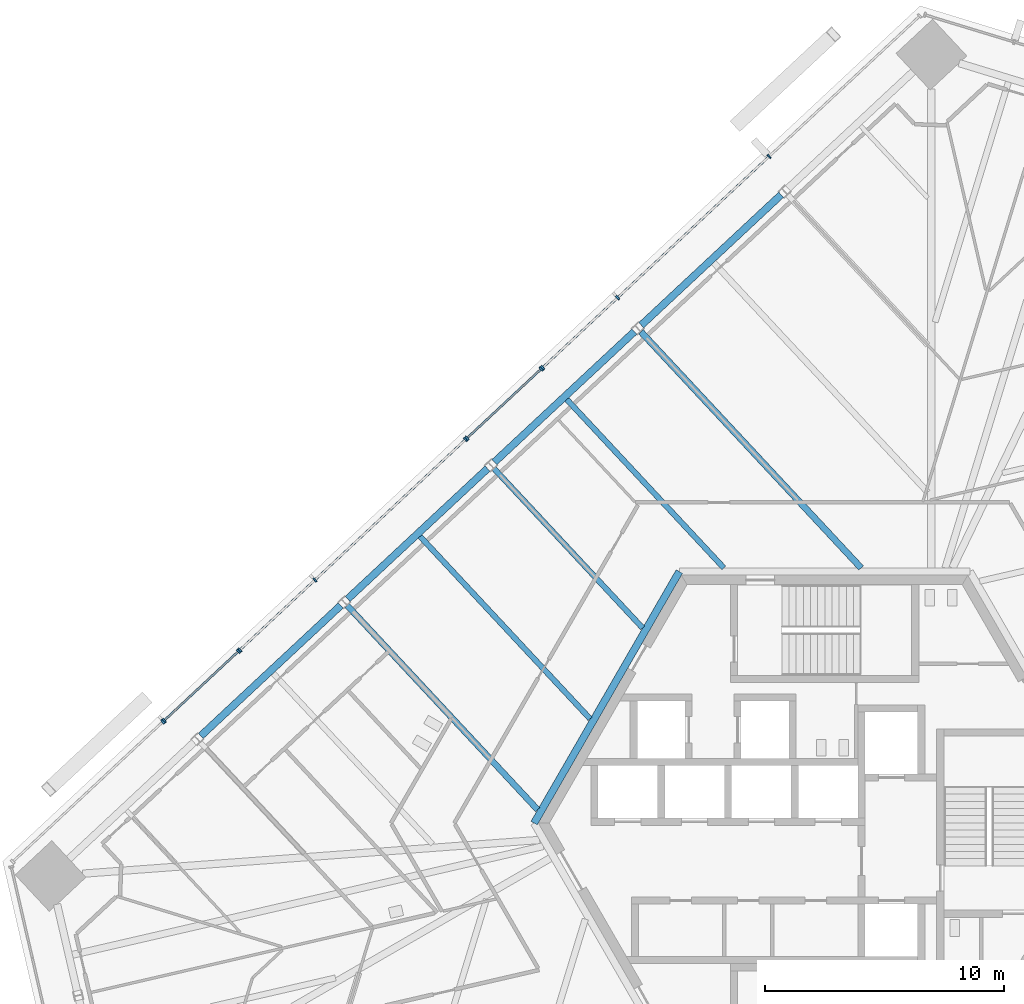
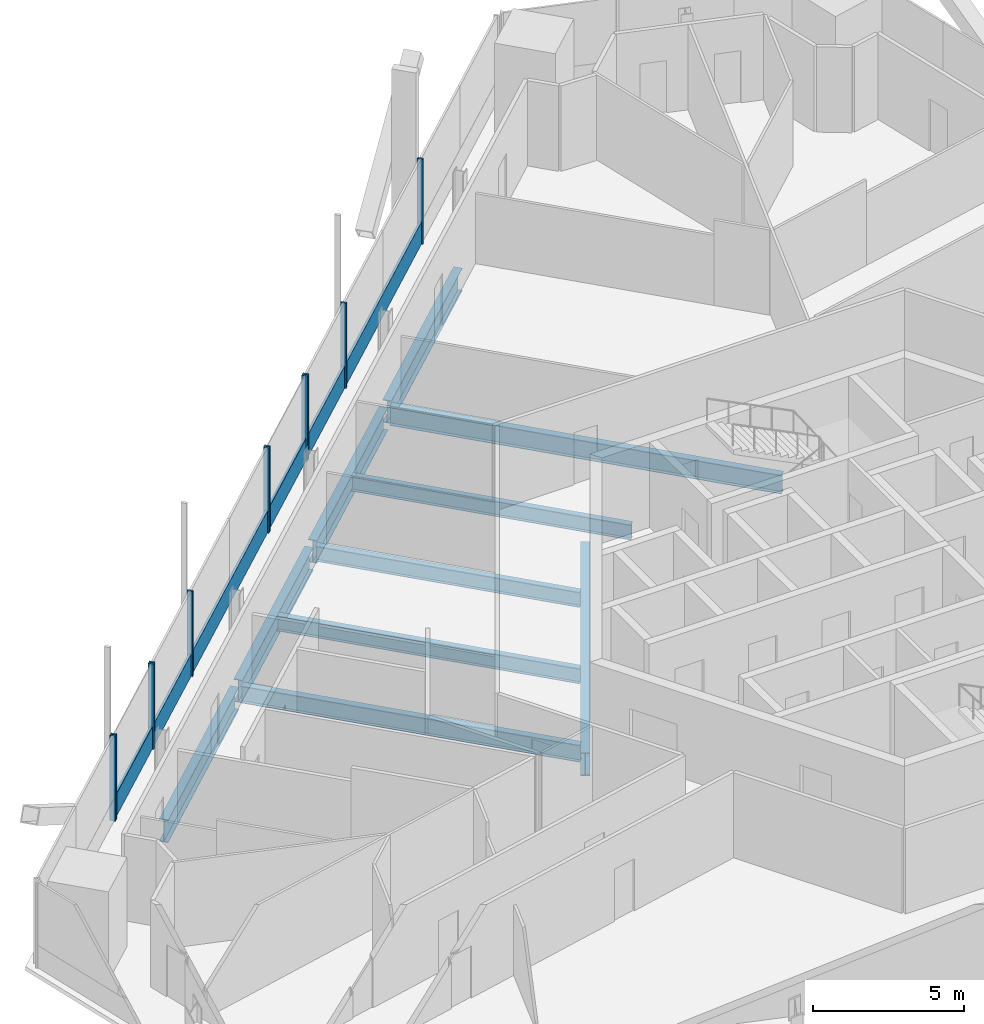
# One storey, part 8 of 24: 17 members, 10 beams, 5 elements without a shape of their own.
"""IFC4 building model written with IfcOpenShell, lengths in metres."""

from ifc_helpers import new_model, si_unit, direction, frame, origin, origin_2d, place, context, subcontext, project, spatial, rectangle, i_section, extrude, source, transform, mapped, material, material_profile, profile_set, type_object, element, aggregate, save


model = new_model("IFC4")

# Units and contexts
model_context = context("Model", 3, precision=1e-05, world=origin(), true_north=direction((0.0, 1.0)))
body_context = subcontext(model_context, "Body", "Model", "MODEL_VIEW")
ifc_project = project(units=[si_unit("LENGTHUNIT", "METRE"), si_unit("AREAUNIT", "SQUARE_METRE"), si_unit("VOLUMEUNIT", "CUBIC_METRE"), si_unit("PLANEANGLEUNIT", "RADIAN"), si_unit("MASSUNIT", "GRAM", prefix="KILO")], contexts=[model_context])

# Site, building, storey
site_placement = place(None, origin())
site = spatial("IfcSite", under=ifc_project, at=site_placement, CompositionType="ELEMENT")
building_placement = place(site_placement, origin())
building = spatial("IfcBuilding", under=site, at=building_placement, Name="Triune Harvest Tower", CompositionType="ELEMENT")
storey_placement = place(building_placement, frame((0.0, 0.0, 127.10009765625)))
storey = spatial("IfcBuildingStorey", under=building, at=storey_placement, Name="L32", CompositionType="ELEMENT", Elevation=127.10009765625)

# Curtain wall, member
ifc_material_1 = material(Name="Aluminium bronze anodised", Category="aluminium")
curtain_wall_type_1 = type_object("IfcCurtainWallType", Name="CW-1 Tower stick curtain wall", PredefinedType="NOTDEFINED", material=ifc_material_1)
curtain_wall_1_placement = place(storey_placement, origin())
curtain_wall_1 = element("IfcCurtainWall", 1, at=curtain_wall_1_placement, inside=storey, type_object=curtain_wall_type_1, Name="CW-1 B3-F3 L32 run 1001")
ifc_material_2 = material(Name="Aluminium bronze anodised", Category="aluminium")
ifc_material_profile_1 = material_profile(ifc_material_2, rectangle(XDim=0.090087890625, YDim=0.89990234375, at=origin_2d()), Name="TR-1 transom 90 x 900")
ifc_profile_set_1 = profile_set([ifc_material_profile_1], Name="Aluminium bronze anodised")
member_type_1 = type_object("IfcMemberType", Name="TR-1 transom 90 x 900", PredefinedType="USERDEFINED", material=ifc_profile_set_1)
member_1_placement = place(storey_placement, frame((-11.90234375, 19.01513671875, 0.449951171875), z_axis=(-0.731361458069, -0.681990042194, 0.0), x_axis=(0.681990042194, -0.731361458069, 0.0)))
member_1 = element("IfcMember", 2, at=member_1_placement, type_object=member_type_1, Name="CW-1 transom B3-F3 1001.1", ObjectType="TRANSOM", PredefinedType="USERDEFINED", context=body_context, shape_type="SweptSolid", body=[
    extrude(rectangle(XDim=0.090087890625, YDim=0.89990234375, at=origin_2d()), origin(), (0.0, 0.0, 1.0), 4.1884765625),
])

curtain_wall_2_placement = place(storey_placement, origin())
curtain_wall_2 = element("IfcCurtainWall", 3, at=curtain_wall_2_placement, inside=storey, type_object=curtain_wall_type_1, Name="CW-1 B3-F3 L32 run 3001")
member_2_placement = place(storey_placement, frame((-24.593994140625, 7.179931640625, 0.449951171875), z_axis=(-0.731363420891, -0.681987937271, 0.0), x_axis=(0.681987937271, -0.731363420891, 0.0)))
member_2 = element("IfcMember", 4, at=member_2_placement, type_object=member_type_1, Name="CW-1 transom B3-F3 3001.1", ObjectType="TRANSOM", PredefinedType="USERDEFINED", context=body_context, shape_type="SweptSolid", body=[
    extrude(rectangle(XDim=0.090087890625, YDim=0.89990234375, at=origin_2d()), origin(), (0.0, 0.0, 1.0), 4.18798828125),
])

# Beams
ifc_material_3 = material(Name="Steel ASTM A992 Gr 50", Category="steel")
ifc_material_profile_2 = material_profile(ifc_material_3, i_section(OverallWidth=0.3046875, OverallDepth=0.914306640625, WebThickness=0.0166015625, FlangeThickness=0.02587890625, at=origin_2d()), Name="W36x160")
ifc_profile_set_2 = profile_set([ifc_material_profile_2], Name="Steel ASTM A992 Gr 50")
beam_type_1 = type_object("IfcBeamType", Name="CG-1 Core ring girder W36x160", PredefinedType="BEAM", material=ifc_profile_set_2)
shared_shape_1 = source(origin(), body_context, "Body", "SweptSolid", [
    extrude(i_section(OverallWidth=0.3046875, OverallDepth=0.914306640625, WebThickness=0.0166015625, FlangeThickness=0.02587890625, at=origin_2d()), origin(), (0.0, 0.0, 1.0), 12.176025390625),
])
beam_1_placement = place(storey_placement, frame((-6.087890625, 10.544677734375, -0.6171875), z_axis=(-0.5000099932, -0.866019634131, 0.0), x_axis=(0.866019634131, -0.5000099932, 0.0)))
element("IfcBeam", 5, at=beam_1_placement, inside=storey, type_object=beam_type_1, Name="beam/L32/CG3", PredefinedType="BEAM", context=body_context, shape_type="MappedRepresentation", body=[
    mapped(shared_shape_1, transform((0.0, 0.0, 0.0), scale=1.0)),
])
ifc_material_4 = material(Name="Steel ASTM A992 Gr 50", Category="steel")
ifc_material_profile_3 = material_profile(ifc_material_4, i_section(OverallWidth=0.3046875, OverallDepth=0.914306640625, WebThickness=0.0166015625, FlangeThickness=0.02587890625, at=origin_2d()), Name="W36x160")
ifc_profile_set_3 = profile_set([ifc_material_profile_3], Name="Steel ASTM A992 Gr 50")
beam_type_2 = type_object("IfcBeamType", Name="SB-1 Spandrel beam W36x160", PredefinedType="SPANDREL", material=ifc_profile_set_3)
shared_shape_2 = source(origin(), body_context, "Body", "SweptSolid", [
    extrude(i_section(OverallWidth=0.3046875, OverallDepth=0.914306640625, WebThickness=0.0166015625, FlangeThickness=0.02587890625, at=origin_2d()), origin(), (0.0, 0.0, 1.0), 8.018310546875),
])
for number, where, z_axis, x_axis, name in (
    (6, (-7.9755859375, 20.600341796875, -0.6171875), (-0.731353889465, -0.681998158623, 0.0), (0.681998158623, -0.731353889465, 0.0), "beam/L32/SB11"),
    (7, (-14.129638671875, 14.86181640625, -0.6171875), (-0.731353889465, -0.681998158623, 0.0), (0.681998158623, -0.731353889465, 0.0), "beam/L32/SB12"),
):
    element("IfcBeam", number, at=place(storey_placement, frame(where, z_axis=z_axis, x_axis=x_axis)), inside=storey, type_object=beam_type_2, Name=name, PredefinedType="SPANDREL", context=body_context, shape_type="MappedRepresentation", body=[
        mapped(shared_shape_2, transform((0.0, 0.0, 0.0), scale=1.0)),
    ])
shared_shape_3 = source(origin(), body_context, "Body", "SweptSolid", [
    extrude(i_section(OverallWidth=0.3046875, OverallDepth=0.914306640625, WebThickness=0.0166015625, FlangeThickness=0.02587890625, at=origin_2d()), origin(), (0.0, 0.0, 1.0), 8.01806640625),
])
for number, where, z_axis, x_axis, name in (
    (8, (-1.82177734375, 26.339111328125, -0.6171875), (-0.731339727109, -0.682013345582, 0.0), (0.682013345582, -0.731339727109, 0.0), "beam/L32/SB10"),
    (9, (-20.28369140625, 9.123046875, -0.6171875), (-0.731339727109, -0.682013345582, 0.0), (0.682013345582, -0.731339727109, 0.0), "beam/L32/SB13"),
):
    element("IfcBeam", number, at=place(storey_placement, frame(where, z_axis=z_axis, x_axis=x_axis)), inside=storey, type_object=beam_type_2, Name=name, PredefinedType="SPANDREL", context=body_context, shape_type="MappedRepresentation", body=[
        mapped(shared_shape_3, transform((0.0, 0.0, 0.0), scale=1.0)),
    ])
ifc_material_5 = material(Name="Steel ASTM A992 Gr 50", Category="steel")
ifc_material_profile_4 = material_profile(ifc_material_5, i_section(OverallWidth=0.2666015625, OverallDepth=0.7568359375, WebThickness=0.013916015625, FlangeThickness=0.019287109375, at=origin_2d()), Name="W30x108")
ifc_profile_set_4 = profile_set([ifc_material_profile_4], Name="Steel ASTM A992 Gr 50")
beam_type_3 = type_object("IfcBeamType", Name="JT-5 Floor joist W30x108", PredefinedType="JOIST", material=ifc_profile_set_4)
shared_shape_4 = source(origin(), body_context, "Body", "SweptSolid", [
    extrude(i_section(OverallWidth=0.2666015625, OverallDepth=0.7568359375, WebThickness=0.013916015625, FlangeThickness=0.019287109375, at=origin_2d()), origin(), (0.0, 0.0, 1.0), 13.535400390625),
])
beam_2_placement = place(storey_placement, frame((-7.700927734375, 20.59619140625, -0.53857421875), z_axis=(0.681991710808, -0.731359902093, 0.0), x_axis=(0.731359902093, 0.681991710808, 0.0)))
element("IfcBeam", 10, at=beam_2_placement, inside=storey, type_object=beam_type_3, Name="beam/L32/JT17", PredefinedType="JOIST", context=body_context, shape_type="MappedRepresentation", body=[
    mapped(shared_shape_4, transform((0.0, 0.0, 0.0), scale=1.0)),
])
ifc_material_6 = material(Name="Steel ASTM A992 Gr 50", Category="steel")
ifc_material_profile_5 = material_profile(ifc_material_6, i_section(OverallWidth=0.22900390625, OverallDepth=0.612060546875, WebThickness=0.011962890625, FlangeThickness=0.01953125, at=origin_2d()), Name="W24x84")
ifc_profile_set_5 = profile_set([ifc_material_profile_5], Name="Steel ASTM A992 Gr 50")
beam_type_4 = type_object("IfcBeamType", Name="JT-3 Floor joist W24x84", PredefinedType="JOIST", material=ifc_profile_set_5)
shared_shape_5 = source(origin(), body_context, "Body", "SweptSolid", [
    extrude(i_section(OverallWidth=0.22900390625, OverallDepth=0.612060546875, WebThickness=0.011962890625, FlangeThickness=0.01953125, at=origin_2d()), origin(), (0.0, 0.0, 1.0), 9.64990234375),
])
beam_3_placement = place(storey_placement, frame((-10.8037109375, 17.754638671875, -0.46630859375), z_axis=(0.681982850357, -0.731368164346, 0.0), x_axis=(0.731368164346, 0.681982850357, 0.0)))
element("IfcBeam", 11, at=beam_3_placement, inside=storey, type_object=beam_type_4, Name="beam/L32/JT18", PredefinedType="JOIST", context=body_context, shape_type="MappedRepresentation", body=[
    mapped(shared_shape_5, transform((0.0, 0.0, 0.0), scale=1.0)),
])
shared_shape_6 = source(origin(), body_context, "Body", "SweptSolid", [
    extrude(i_section(OverallWidth=0.22900390625, OverallDepth=0.612060546875, WebThickness=0.011962890625, FlangeThickness=0.01953125, at=origin_2d()), origin(), (0.0, 0.0, 1.0), 9.12890625),
])
beam_4_placement = place(storey_placement, frame((-13.854736328125, 14.857421875, -0.46630859375), z_axis=(0.681991349896, -0.731360238642, 0.0), x_axis=(0.731360238642, 0.681991349896, 0.0)))
element("IfcBeam", 12, at=beam_4_placement, inside=storey, type_object=beam_type_4, Name="beam/L32/JT19", PredefinedType="JOIST", context=body_context, shape_type="MappedRepresentation", body=[
    mapped(shared_shape_6, transform((0.0, 0.0, 0.0), scale=1.0)),
])
shared_shape_7 = source(origin(), body_context, "Body", "SweptSolid", [
    extrude(i_section(OverallWidth=0.22900390625, OverallDepth=0.612060546875, WebThickness=0.011962890625, FlangeThickness=0.01953125, at=origin_2d()), origin(), (0.0, 0.0, 1.0), 10.453369140625),
])
beam_5_placement = place(storey_placement, frame((-16.957763671875, 12.01611328125, -0.46630859375), z_axis=(0.681989491602, -0.731361971492, 0.0), x_axis=(0.731361971492, 0.681989491602, 0.0)))
element("IfcBeam", 13, at=beam_5_placement, inside=storey, type_object=beam_type_4, Name="beam/L32/JT20", PredefinedType="JOIST", context=body_context, shape_type="MappedRepresentation", body=[
    mapped(shared_shape_7, transform((0.0, 0.0, 0.0), scale=1.0)),
])
ifc_material_7 = material(Name="Steel ASTM A992 Gr 50", Category="steel")
ifc_material_profile_6 = material_profile(ifc_material_7, i_section(OverallWidth=0.253662109375, OverallDepth=0.683349609375, WebThickness=0.012451171875, FlangeThickness=0.01904296875, at=origin_2d()), Name="W27x94")
ifc_profile_set_6 = profile_set([ifc_material_profile_6], Name="Steel ASTM A992 Gr 50")
beam_type_5 = type_object("IfcBeamType", Name="JT-4 Floor joist W27x94", PredefinedType="JOIST", material=ifc_profile_set_6)
shared_shape_8 = source(origin(), body_context, "Body", "SweptSolid", [
    extrude(i_section(OverallWidth=0.253662109375, OverallDepth=0.683349609375, WebThickness=0.012451171875, FlangeThickness=0.01904296875, at=origin_2d()), origin(), (0.0, 0.0, 1.0), 11.70166015625),
])
beam_6_placement = place(storey_placement, frame((-20.0087890625, 9.118896484375, -0.501708984375), z_axis=(0.681994076682, -0.731357695913, 0.0), x_axis=(0.731357695913, 0.681994076682, 0.0)))
element("IfcBeam", 14, at=beam_6_placement, inside=storey, type_object=beam_type_5, Name="beam/L32/JT21", PredefinedType="JOIST", context=body_context, shape_type="MappedRepresentation", body=[
    mapped(shared_shape_8, transform((0.0, 0.0, 0.0), scale=1.0)),
])

# Curtain wall, members
ifc_material_8 = material(Name="Aluminium bronze anodised", Category="aluminium")
curtain_wall_type_2 = type_object("IfcCurtainWallType", Name="CW-7 Tower stick curtain wall with insulated spandrel infill", PredefinedType="NOTDEFINED", material=ifc_material_8)
curtain_wall_3_placement = place(storey_placement, origin())
curtain_wall_3 = element("IfcCurtainWall", 15, at=curtain_wall_3_placement, inside=storey, type_object=curtain_wall_type_2, Name="CW-7 B3-F3 L32 run 1")
ifc_material_9 = material(Name="Aluminium bronze anodised", Category="aluminium")
ifc_material_profile_7 = material_profile(ifc_material_9, rectangle(XDim=0.199951171875, YDim=0.074951171875, at=origin_2d()), Name="MU-1 mullion 75 x 200")
ifc_profile_set_7 = profile_set([ifc_material_profile_7], Name="Aluminium bronze anodised")
member_type_2 = type_object("IfcMemberType", Name="MU-1 mullion 75 x 200", PredefinedType="MULLION", material=ifc_profile_set_7)
shared_shape_9 = source(origin(), body_context, "Body", "SweptSolid", [
    extrude(rectangle(XDim=0.199951171875, YDim=0.074951171875, at=origin_2d()), origin(), (0.0, 0.0, 1.0), 3.43994140625),
])
member_3_placement = place(storey_placement, frame((-2.328857421875, 27.942626953125, 0.0), z_axis=(0.0, 0.0, 1.0), x_axis=(0.681997080647, -0.731354894691, 0.0)))
member_3 = element("IfcMember", 16, at=member_3_placement, type_object=member_type_2, Name="CW-7 mullion B3-F3 1.3", PredefinedType="MULLION", context=body_context, shape_type="MappedRepresentation", body=[
    mapped(shared_shape_9, transform((0.0, 0.0, 0.0), scale=1.0)),
])
member_4_placement = place(storey_placement, frame((-8.6748046875, 22.025146484375, 0.0), z_axis=(0.0, 0.0, 1.0), x_axis=(0.681997080647, -0.731354894691, 0.0)))
member_4 = element("IfcMember", 17, at=member_4_placement, type_object=member_type_2, Name="CW-7 mullion B3-F3 1.5", PredefinedType="MULLION", context=body_context, shape_type="MappedRepresentation", body=[
    mapped(shared_shape_9, transform((0.0, 0.0, 0.0), scale=1.0)),
])
member_5_placement = place(storey_placement, frame((-11.820068359375, 19.091796875, 0.0), z_axis=(0.0, 0.0, 1.0), x_axis=(0.681997080647, -0.731354894691, 0.0)))
member_5 = element("IfcMember", 18, at=member_5_placement, type_object=member_type_2, Name="CW-7 mullion B3-F3 1.6", PredefinedType="MULLION", context=body_context, shape_type="MappedRepresentation", body=[
    mapped(shared_shape_9, transform((0.0, 0.0, 0.0), scale=1.0)),
])

# Member
member_6_placement = place(storey_placement, frame((-11.875, 19.040771484375, 0.0), z_axis=(0.0, 0.0, 1.0), x_axis=(0.682012678314, -0.731340349372, 0.0)))
member_6 = element("IfcMember", 19, at=member_6_placement, type_object=member_type_2, Name="CW-1 mullion B3-F3 1001.1", PredefinedType="MULLION", context=body_context, shape_type="MappedRepresentation", body=[
    mapped(shared_shape_9, transform((0.0, 0.0, 0.0), scale=1.0)),
])

member_7_placement = place(storey_placement, frame((-14.992919921875, 16.133056640625, 0.0), z_axis=(0.0, 0.0, 1.0), x_axis=(0.682012678314, -0.731340349372, 0.0)))
member_7 = element("IfcMember", 20, at=member_7_placement, type_object=member_type_2, Name="CW-1 mullion B3-F3 1001.2", PredefinedType="MULLION", context=body_context, shape_type="MappedRepresentation", body=[
    mapped(shared_shape_9, transform((0.0, 0.0, 0.0), scale=1.0)),
])

aggregate(curtain_wall_1, [member_6, member_7, member_1])

# Curtain wall, members
curtain_wall_4_placement = place(storey_placement, origin())
curtain_wall_4 = element("IfcCurtainWall", 21, at=curtain_wall_4_placement, inside=storey, type_object=curtain_wall_type_2, Name="CW-7 B3-F3 L32 run 2001")
member_8_placement = place(storey_placement, frame((-15.0478515625, 16.08203125, 0.0), z_axis=(0.0, 0.0, 1.0), x_axis=(0.681997071661, -0.731354903071, 0.0)))
member_8 = element("IfcMember", 22, at=member_8_placement, type_object=member_type_2, Name="CW-7 mullion B3-F3 2001.1", PredefinedType="MULLION", context=body_context, shape_type="MappedRepresentation", body=[
    mapped(shared_shape_9, transform((0.0, 0.0, 0.0), scale=1.0)),
])
member_9_placement = place(storey_placement, frame((-21.3662109375, 10.18994140625, 0.0), z_axis=(0.0, 0.0, 1.0), x_axis=(0.681997071661, -0.731354903071, 0.0)))
member_9 = element("IfcMember", 23, at=member_9_placement, type_object=member_type_2, Name="CW-7 mullion B3-F3 2001.3", PredefinedType="MULLION", context=body_context, shape_type="MappedRepresentation", body=[
    mapped(shared_shape_9, transform((0.0, 0.0, 0.0), scale=1.0)),
])
member_10_placement = place(storey_placement, frame((-24.51171875, 7.2568359375, 0.0), z_axis=(0.0, 0.0, 1.0), x_axis=(0.681997071661, -0.731354903071, 0.0)))
member_10 = element("IfcMember", 24, at=member_10_placement, type_object=member_type_2, Name="CW-7 mullion B3-F3 2001.4", PredefinedType="MULLION", context=body_context, shape_type="MappedRepresentation", body=[
    mapped(shared_shape_9, transform((0.0, 0.0, 0.0), scale=1.0)),
])

# Member
member_11_placement = place(storey_placement, frame((-24.56640625, 7.20556640625, 0.0), z_axis=(0.0, 0.0, 1.0), x_axis=(0.682000349361, -0.731351846563, 0.0)))
member_11 = element("IfcMember", 25, at=member_11_placement, type_object=member_type_2, Name="CW-1 mullion B3-F3 3001.1", PredefinedType="MULLION", context=body_context, shape_type="MappedRepresentation", body=[
    mapped(shared_shape_9, transform((0.0, 0.0, 0.0), scale=1.0)),
])

member_12_placement = place(storey_placement, frame((-27.6845703125, 4.298095703125, 0.0), z_axis=(0.0, 0.0, 1.0), x_axis=(0.682000349361, -0.731351846563, 0.0)))
member_12 = element("IfcMember", 26, at=member_12_placement, type_object=member_type_2, Name="CW-1 mullion B3-F3 3001.2", PredefinedType="MULLION", context=body_context, shape_type="MappedRepresentation", body=[
    mapped(shared_shape_9, transform((0.0, 0.0, 0.0), scale=1.0)),
])

aggregate(curtain_wall_2, [member_11, member_12, member_2])

# Curtain wall, member
curtain_wall_5_placement = place(storey_placement, origin())
curtain_wall_5 = element("IfcCurtainWall", 27, at=curtain_wall_5_placement, inside=storey, type_object=curtain_wall_type_2, Name="CW-7 B3-F3 L32 run 4001")
member_13_placement = place(storey_placement, frame((-27.7392578125, 4.246826171875, 0.0), z_axis=(0.0, 0.0, 1.0), x_axis=(0.681997510149, -0.731354494176, 0.0)))
member_13 = element("IfcMember", 28, at=member_13_placement, type_object=member_type_2, Name="CW-7 mullion B3-F3 4001.1", PredefinedType="MULLION", context=body_context, shape_type="MappedRepresentation", body=[
    mapped(shared_shape_9, transform((0.0, 0.0, 0.0), scale=1.0)),
])
aggregate(curtain_wall_5, [member_13])

# Member
shared_shape_10 = source(origin(), body_context, "Body", "SweptSolid", [
    extrude(rectangle(XDim=0.090087890625, YDim=0.89990234375, at=origin_2d()), origin(), (0.0, 0.0, 1.0), 8.564453125),
])
member_14_placement = place(storey_placement, frame((-15.0751953125, 16.056396484375, 0.449951171875), z_axis=(-0.731362332913, -0.681989104015, 0.0), x_axis=(0.681989104015, -0.731362332913, 0.0)))
member_14 = element("IfcMember", 29, at=member_14_placement, type_object=member_type_1, Name="CW-7 transom B3-F3 2001.1", ObjectType="TRANSOM", PredefinedType="USERDEFINED", context=body_context, shape_type="MappedRepresentation", body=[
    mapped(shared_shape_10, transform((0.0, 0.0, 0.0), scale=1.0)),
])

shared_shape_11 = source(origin(), body_context, "Body", "SweptSolid", [
    extrude(rectangle(XDim=0.090087890625, YDim=0.89990234375, at=origin_2d()), origin(), (0.0, 0.0, 1.0), 4.225830078125),
])
member_15_placement = place(storey_placement, frame((-8.7021484375, 21.99951171875, 0.449951171875), z_axis=(-0.731345300988, -0.682007368525, 0.0), x_axis=(0.682007368525, -0.731345300988, 0.0)))
member_15 = element("IfcMember", 30, at=member_15_placement, type_object=member_type_1, Name="CW-7 transom B3-F3 1.3", ObjectType="TRANSOM", PredefinedType="USERDEFINED", context=body_context, shape_type="MappedRepresentation", body=[
    mapped(shared_shape_11, transform((0.0, 0.0, 0.0), scale=1.0)),
])

member_16_placement = place(storey_placement, frame((-21.3935546875, 10.164306640625, 0.449951171875), z_axis=(-0.731374117532, -0.68197646602, 0.0), x_axis=(0.68197646602, -0.731374117532, 0.0)))
member_16 = element("IfcMember", 31, at=member_16_placement, type_object=member_type_1, Name="CW-7 transom B3-F3 2001.2", ObjectType="TRANSOM", PredefinedType="USERDEFINED", context=body_context, shape_type="MappedRepresentation", body=[
    mapped(shared_shape_11, transform((0.0, 0.0, 0.0), scale=1.0)),
])

aggregate(curtain_wall_4, [member_8, member_9, member_10, member_14, member_16])

shared_shape_12 = source(origin(), body_context, "Body", "SweptSolid", [
    extrude(rectangle(XDim=0.090087890625, YDim=0.89990234375, at=origin_2d()), origin(), (0.0, 0.0, 1.0), 8.601806640625),
])
member_17_placement = place(storey_placement, frame((-2.3564453125, 27.9169921875, 0.449951171875), z_axis=(-0.731341190009, -0.682011776875, 0.0), x_axis=(0.682011776875, -0.731341190009, 0.0)))
member_17 = element("IfcMember", 32, at=member_17_placement, type_object=member_type_1, Name="CW-7 transom B3-F3 1.2", ObjectType="TRANSOM", PredefinedType="USERDEFINED", context=body_context, shape_type="MappedRepresentation", body=[
    mapped(shared_shape_12, transform((0.0, 0.0, 0.0), scale=1.0)),
])

aggregate(curtain_wall_3, [member_3, member_4, member_5, member_17, member_15])

save(model, "model.ifc")
